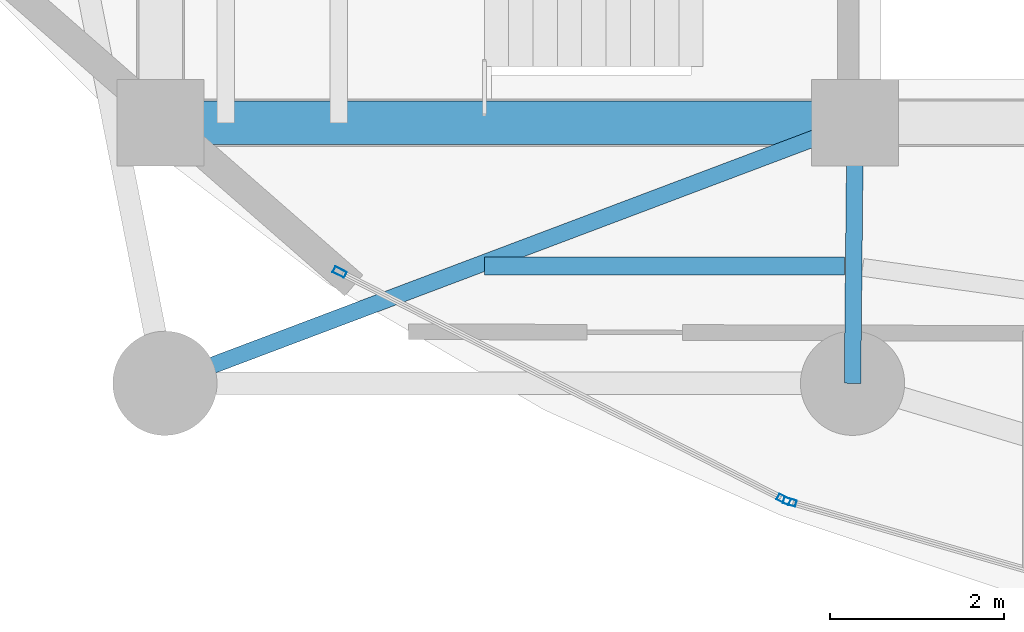
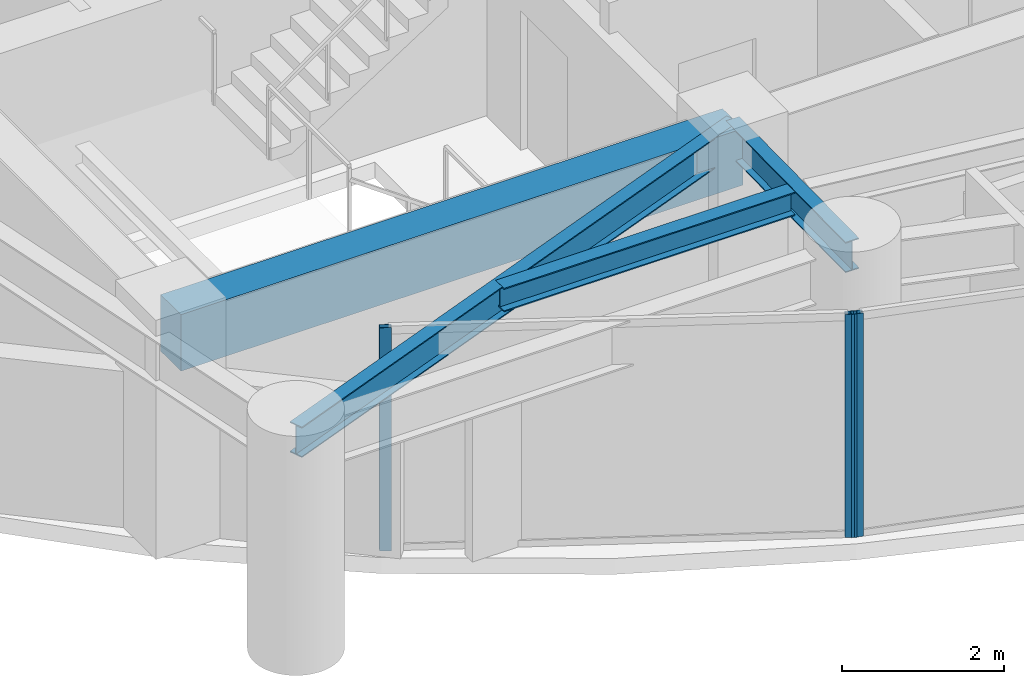
# One storey, part 2 of 28: 4 beams, 3 members, 2 elements without a shape of their own.
"""IFC4 building model written with IfcOpenShell, lengths in metres."""

import ifcopenshell
import ifcopenshell.guid

model = None  # the IFC model being written
_history = None  # IfcOwnerHistory: only IFC2X3 demands one
_inside = {}  # id of a spatial element -> (the spatial element, [elements in it])
_under = {}  # id of a project, library or spatial element -> (it, [spatial elements below it])
_declared = {}  # id of a project -> (the project, [libraries it declares])
_typed = {}  # id of a type object -> (the type object, [elements of that type])
_made_of = {}  # id of a material, layer set ... -> (it, [elements and type objects made of it])


def new_model(schema):
    """Start an empty IFC model of exactly this schema.

    Asked for "IFC4X3", IfcOpenShell would pick the latest addendum, in which some entities
    have other attributes; the version numbers below select the first issue.
    IFC2X3 requires an IfcOwnerHistory on every rooted entity: one is made here for all.
    """
    global model, _history
    if schema == "IFC4X3":
        model = ifcopenshell.file(schema_version=(4, 3, 0, 0))
    else:
        model = ifcopenshell.file(schema=schema)
    _inside.clear()
    _under.clear()
    _declared.clear()
    _typed.clear()
    _made_of.clear()
    _history = None
    if model.schema == "IFC2X3":
        org = make("IfcOrganization", Name="unknown")
        user = make(
            "IfcPersonAndOrganization",
            ThePerson=make("IfcPerson", FamilyName="unknown"),
            TheOrganization=org,
        )
        app = make(
            "IfcApplication",
            ApplicationDeveloper=org,
            Version="unknown",
            ApplicationFullName="unknown",
            ApplicationIdentifier="unknown",
        )
        _history = make(
            "IfcOwnerHistory",
            OwningUser=user,
            OwningApplication=app,
            ChangeAction="ADDED",
            CreationDate=0,
        )
    return model


def make(cls, **values):
    """One entity of the class cls with the attributes given. An attribute that is None is left unset."""
    return model.create_entity(
        cls, **{name: value for name, value in values.items() if value is not None}
    )


def rooted(cls, **values):
    """An entity with a GlobalId (a new one), such as an element, a storey or a relation."""
    return make(cls, GlobalId=ifcopenshell.guid.new(), OwnerHistory=_history, **values)


def si_unit(unit_type, name, prefix=None):
    """IfcSIUnit, for example si_unit("LENGTHUNIT", "METRE", prefix="MILLI")."""
    return make("IfcSIUnit", UnitType=unit_type, Prefix=prefix, Name=name)


def assignment(units):
    """IfcUnitAssignment: the units of a project."""
    return None if units is None else make("IfcUnitAssignment", Units=units)


def point(xyz):
    """IfcCartesianPoint."""
    return None if xyz is None else make("IfcCartesianPoint", Coordinates=xyz)


def direction(xyz):
    """IfcDirection."""
    return None if xyz is None else make("IfcDirection", DirectionRatios=xyz)


def frame(location, z_axis=None, x_axis=None):
    """IfcAxis2Placement3D, a coordinate frame: its origin and axes. An axis left out is left unset."""
    return make(
        "IfcAxis2Placement3D",
        Location=point(location),
        Axis=direction(z_axis),
        RefDirection=direction(x_axis),
    )


def frame_2d(location, x_axis=None):
    """IfcAxis2Placement2D, a coordinate frame in the plane: its origin and x axis."""
    return make(
        "IfcAxis2Placement2D", Location=point(location), RefDirection=direction(x_axis)
    )


def origin():
    """The frame at (0, 0, 0) with its axes left unset."""
    return frame((0.0, 0.0, 0.0))


def origin_2d():
    """The frame at (0, 0) in the plane with its x axis left unset."""
    return frame_2d((0.0, 0.0))


def place(relative_to, where):
    """IfcLocalPlacement: puts the frame where relative to a parent placement (None: the world)."""
    return make(
        "IfcLocalPlacement", PlacementRelTo=relative_to, RelativePlacement=where
    )


def context(
    kind, dimensions, precision=None, world=None, true_north=None, identifier=None
):
    """IfcGeometricRepresentationContext, for example the 3D "Model" context."""
    return make(
        "IfcGeometricRepresentationContext",
        ContextIdentifier=identifier,
        ContextType=kind,
        CoordinateSpaceDimension=dimensions,
        Precision=precision,
        WorldCoordinateSystem=world,
        TrueNorth=true_north,
    )


def subcontext(parent, identifier, kind, view, scale=None):
    """IfcGeometricRepresentationSubContext, for example "Body" below "Model"."""
    return make(
        "IfcGeometricRepresentationSubContext",
        ContextIdentifier=identifier,
        ContextType=kind,
        ParentContext=parent,
        TargetScale=scale,
        TargetView=view,
    )


def project(units=None, contexts=None):
    """IfcProject with its units and contexts."""
    return rooted(
        "IfcProject",
        Name="project",
        RepresentationContexts=contexts,
        UnitsInContext=assignment(units),
    )


def spatial(cls, under=None, at=None, **own):
    """A site, building, storey or space (cls), placed at a placement, below another one or the project."""
    s = rooted(cls, ObjectPlacement=at, **own)
    if under is not None:
        _under.setdefault(under.id(), (under, []))[1].append(s)
    return s


def profile(cls, at=None, kind="AREA", **sizes):
    """A parametric profile (cls). Its sizes go by their IFC names, for example OverallWidth=200.0."""
    return make(cls, ProfileType=kind, Position=at, **sizes)


def rectangle(**sizes):
    """IfcRectangleProfileDef."""
    return profile("IfcRectangleProfileDef", **sizes)


def hollow_rectangle(**sizes):
    """IfcRectangleHollowProfileDef."""
    return profile("IfcRectangleHollowProfileDef", **sizes)


def i_section(**sizes):
    """IfcIShapeProfileDef."""
    return profile("IfcIShapeProfileDef", **sizes)


def extrude(swept, where, along, depth):
    """IfcExtrudedAreaSolid: the profile swept, set in the frame where, extruded along a direction by depth."""
    return make(
        "IfcExtrudedAreaSolid",
        SweptArea=swept,
        Position=where,
        ExtrudedDirection=direction(along),
        Depth=depth,
    )


def shape(context_of_items, identifier, shape_type, items):
    """IfcShapeRepresentation: the items that make up one representation, for example the "Body"."""
    return make(
        "IfcShapeRepresentation",
        ContextOfItems=context_of_items,
        RepresentationIdentifier=identifier,
        RepresentationType=shape_type,
        Items=items,
    )


def material(Name=None, Category=None):
    """IfcMaterial."""
    return make("IfcMaterial", Name=Name, Category=Category)


def layer(
    of_material, thickness, ventilated=None, Name=None, Category=None, Priority=None
):
    """IfcMaterialLayer: one layer of a wall or slab, of a material (None: an air gap)."""
    return make(
        "IfcMaterialLayer",
        Material=of_material,
        LayerThickness=thickness,
        IsVentilated=ventilated,
        Name=Name,
        Category=Category,
        Priority=Priority,
    )


def layer_set(layers, Name=None):
    """IfcMaterialLayerSet."""
    return make("IfcMaterialLayerSet", MaterialLayers=layers, LayerSetName=Name)


def material_profile(
    of_material, cross_section, Name=None, Category=None, Priority=None
):
    """IfcMaterialProfile: a cross section and its material."""
    return make(
        "IfcMaterialProfile",
        Name=Name,
        Material=of_material,
        Profile=cross_section,
        Priority=Priority,
        Category=Category,
    )


def profile_set(profiles, Name=None, composite=None):
    """IfcMaterialProfileSet."""
    return make(
        "IfcMaterialProfileSet",
        Name=Name,
        MaterialProfiles=profiles,
        CompositeProfile=composite,
    )


def made_of(thing, what):
    """Note that an element or type object is made of a material, layer set ...; save() writes the relation."""
    if what is not None:
        _made_of.setdefault(what.id(), (what, []))[1].append(thing)
    return thing


def type_object(cls, material=None, **own):
    """A type object (cls), such as IfcWallType, which elements share."""
    return made_of(rooted(cls, **own), material)


def element(
    cls,
    number,
    at=None,
    inside=None,
    cuts=None,
    type_object=None,
    material=None,
    context=None,
    identifier="Body",
    shape_type=None,
    held_by="IfcProductDefinitionShape",
    body=None,
    shapes=None,
    **own,
):
    """One element of the class cls, such as IfcWall. Its Tag is "e" and its number.

    at: its placement. inside: the storey or other place that contains it. cuts: it is an
    opening in that element (IfcRelVoidsElement). A single representation is given by context,
    identifier, shape_type and body (its items); several are given by shapes. held_by: the class
    of the entity that holds the representations. save() writes the other relations.
    """
    e = rooted(cls, Tag="e%d" % number, ObjectPlacement=at, **own)
    if body is not None:
        shapes = [shape(context, identifier, shape_type, body)]
    if shapes is not None:
        e.Representation = make(held_by, Representations=shapes)
    if inside is not None:
        _inside.setdefault(inside.id(), (inside, []))[1].append(e)
    if cuts is not None:
        rooted(
            "IfcRelVoidsElement", RelatingBuildingElement=cuts, RelatedOpeningElement=e
        )
    if type_object is not None:
        _typed.setdefault(type_object.id(), (type_object, []))[1].append(e)
    return made_of(e, material)


def aggregate(whole, parts):
    """IfcRelAggregates: a whole, such as a stair, and the parts it consists of."""
    return rooted("IfcRelAggregates", RelatingObject=whole, RelatedObjects=parts)


def save(model, path):
    """Write the relations noted so far, then the file.

    IfcRelAggregates (storeys below a building ...), IfcRelContainedInSpatialStructure (elements
    in a storey), IfcRelDefinesByType, IfcRelAssociatesMaterial and IfcRelDeclares: one each for
    every whole, place, type object, material and project.
    """
    for whole, parts in _under.values():
        aggregate(whole, parts)
    for where, things in _inside.values():
        rooted(
            "IfcRelContainedInSpatialStructure",
            RelatedElements=things,
            RelatingStructure=where,
        )
    for kind, things in _typed.values():
        rooted("IfcRelDefinesByType", RelatedObjects=things, RelatingType=kind)
    for what, things in _made_of.values():
        rooted("IfcRelAssociatesMaterial", RelatedObjects=things, RelatingMaterial=what)
    for by, libraries in _declared.values():
        rooted("IfcRelDeclares", RelatingContext=by, RelatedDefinitions=libraries)
    model.write(path)


model = new_model("IFC4")

# Units and contexts
model_context = context("Model", 3, precision=1e-05, world=origin(), true_north=direction((0.0, 1.0)))
body_context = subcontext(model_context, "Body", "Model", "MODEL_VIEW")
ifc_project = project(units=[si_unit("LENGTHUNIT", "METRE"), si_unit("AREAUNIT", "SQUARE_METRE"), si_unit("VOLUMEUNIT", "CUBIC_METRE"), si_unit("PLANEANGLEUNIT", "RADIAN"), si_unit("MASSUNIT", "GRAM", prefix="KILO")], contexts=[model_context])

# Site, building, storey
site_placement = place(None, origin())
site = spatial("IfcSite", under=ifc_project, at=site_placement, CompositionType="ELEMENT")
building_placement = place(site_placement, origin())
building = spatial("IfcBuilding", under=site, at=building_placement, Name="Kazevale Care Tower and Concert Hall", CompositionType="ELEMENT")
storey_placement = place(building_placement, frame((0.0, 0.0, 106.199951171875)))
storey = spatial("IfcBuildingStorey", under=building, at=storey_placement, Name="L27", CompositionType="ELEMENT", Elevation=106.199951171875)

# Curtain wall, member
ifc_material_1 = material(Name="Aluminium 6063-T6 and Low-E Glass", Category="aluminium")
ifc_layer = layer(ifc_material_1, 0.179931640625)
ifc_layer_set = layer_set([ifc_layer], Name="Aluminium 6063-T6 and Low-E Glass")
curtain_wall_type = type_object("IfcCurtainWallType", Name="Sheltered Concave Balcony Curtain Wall CW-5", PredefinedType="NOTDEFINED", material=ifc_layer_set)
curtain_wall_1_placement = place(storey_placement, origin())
curtain_wall_1 = element("IfcCurtainWall", 1, at=curtain_wall_1_placement, inside=storey, type_object=curtain_wall_type, Name="cw:L27:f08", PredefinedType="NOTDEFINED")
ifc_material_2 = material(Name="Aluminium 6063-T6", Category="aluminium")
ifc_material_profile_1 = material_profile(ifc_material_2, hollow_rectangle(XDim=0.074951171875, YDim=0.14990234375, WallThickness=0.00390625, at=origin_2d()), Name="ALU75x150x4")
ifc_profile_set_1 = profile_set([ifc_material_profile_1], Name="Aluminium 6063-T6")
member_type = type_object("IfcMemberType", Name="CW-5 Mullion ALU75x150x4", PredefinedType="MULLION", material=ifc_profile_set_1)
member_1_placement = place(storey_placement, frame((29.2470703125, 19.234619140625, 0.0), z_axis=(0.0, 0.0, 1.0), x_axis=(-0.276290733172, -0.961074102639, 0.0)))
member_1 = element("IfcMember", 2, at=member_1_placement, type_object=member_type, Name="CW-5 mullion 2", PredefinedType="MULLION", context=body_context, shape_type="SweptSolid", body=[
    extrude(hollow_rectangle(XDim=0.074951171875, YDim=0.14990234375, WallThickness=0.00390625, at=origin_2d()), origin(), (0.0, 0.0, 1.0), 3.360107421875),
])
aggregate(curtain_wall_1, [member_1])

# Curtain wall, members
curtain_wall_2_placement = place(storey_placement, origin())
curtain_wall_2 = element("IfcCurtainWall", 3, at=curtain_wall_2_placement, inside=storey, type_object=curtain_wall_type, Name="cw:L27:f09", PredefinedType="NOTDEFINED")
member_2_placement = place(storey_placement, frame((29.177734375, 19.26220703125, 0.0), z_axis=(0.0, 0.0, 1.0), x_axis=(-0.455713236575, -0.890126646051, 0.0)))
member_2 = element("IfcMember", 4, at=member_2_placement, type_object=member_type, Name="CW-5 mullion 1", PredefinedType="MULLION", context=body_context, shape_type="SweptSolid", body=[
    extrude(hollow_rectangle(XDim=0.074951171875, YDim=0.14990234375, WallThickness=0.00390625, at=origin_2d()), origin(), (0.0, 0.0, 1.0), 3.360107421875),
])
member_3_placement = place(storey_placement, frame((24.0625, 21.880859375, 0.0), z_axis=(0.0, 0.0, 1.0), x_axis=(-0.455713236575, -0.890126646051, 0.0)))
member_3 = element("IfcMember", 5, at=member_3_placement, type_object=member_type, Name="CW-5 mullion 2", PredefinedType="MULLION", context=body_context, shape_type="SweptSolid", body=[
    extrude(hollow_rectangle(XDim=0.074951171875, YDim=0.14990234375, WallThickness=0.00390625, at=origin_2d()), origin(), (0.0, 0.0, 1.0), 3.360107421875),
])
aggregate(curtain_wall_2, [member_2, member_3])

# Beams
ifc_material_3 = material(Name="Concrete C60", Category="concrete")
ifc_material_profile_2 = material_profile(ifc_material_3, rectangle(XDim=0.5, YDim=0.85009765625, at=origin_2d()), Name="RC-B500x850")
ifc_profile_set_2 = profile_set([ifc_material_profile_2], Name="Concrete C60")
beam_type_1 = type_object("IfcBeamType", Name="Core Coupling Beam RC500x850", PredefinedType="LINTEL", material=ifc_profile_set_2)
beam_1_placement = place(storey_placement, frame((22.0, 23.60009765625, 2.93505859375), z_axis=(1.0, 0.0, 0.0), x_axis=(0.0, 1.0, 0.0)))
element("IfcBeam", 6, at=beam_1_placement, inside=storey, type_object=beam_type_1, Name="beam:L27:coretie:1", PredefinedType="LINTEL", context=body_context, shape_type="SweptSolid", body=[
    extrude(rectangle(XDim=0.5, YDim=0.85009765625, at=origin_2d()), origin(), (0.0, 0.0, 1.0), 8.0),
])
ifc_material_4 = material(Name="Steel ASTM A572 Gr 50", Category="steel")
ifc_material_profile_3 = material_profile(ifc_material_4, i_section(OverallWidth=0.19091796875, OverallDepth=0.4599609375, WebThickness=0.010009765625, FlangeThickness=0.01611328125, at=origin_2d()), Name="W460x82")
ifc_profile_set_3 = profile_set([ifc_material_profile_3], Name="Steel ASTM A572 Gr 50")
beam_type_2 = type_object("IfcBeamType", Name="Radial Floor Beam W460x82", PredefinedType="BEAM", material=ifc_profile_set_3)
beam_2_placement = place(storey_placement, frame((30.0, 23.60009765625, 3.130126953125), z_axis=(-0.935601002663, -0.353059150592, 0.0), x_axis=(0.353059150592, -0.935601002663, 0.0)))
element("IfcBeam", 7, at=beam_2_placement, inside=storey, type_object=beam_type_2, Name="beam:L27:rad:10", PredefinedType="BEAM", context=body_context, shape_type="SweptSolid", body=[
    extrude(i_section(OverallWidth=0.19091796875, OverallDepth=0.4599609375, WebThickness=0.010009765625, FlangeThickness=0.01611328125, at=origin_2d()), origin(), (0.0, 0.0, 1.0), 8.4970703125),
])
beam_3_placement = place(storey_placement, frame((30.0, 23.60009765625, 3.130126953125), z_axis=(-0.010009264196, -0.99994990606, 0.0), x_axis=(0.99994990606, -0.010009264196, 0.0)))
element("IfcBeam", 8, at=beam_3_placement, inside=storey, type_object=beam_type_2, Name="beam:L27:rad:11", PredefinedType="BEAM", context=body_context, shape_type="SweptSolid", body=[
    extrude(i_section(OverallWidth=0.19091796875, OverallDepth=0.4599609375, WebThickness=0.010009765625, FlangeThickness=0.01611328125, at=origin_2d()), origin(), (0.0, 0.0, 1.0), 3.000244140625),
])
ifc_material_profile_4 = material_profile(ifc_material_4, i_section(OverallWidth=0.205078125, OverallDepth=0.35400390625, WebThickness=0.009521484375, FlangeThickness=0.016845703125, at=origin_2d()), Name="W360x79")
ifc_profile_set_4 = profile_set([ifc_material_profile_4], Name="Steel ASTM A572 Gr 50")
beam_type_3 = type_object("IfcBeamType", Name="Secondary Floor Joist W360x79", PredefinedType="JOIST", material=ifc_profile_set_4)
beam_4_placement = place(storey_placement, frame((25.73291015625, 21.949951171875, 3.18310546875), z_axis=(1.0, 0.0, 0.0), x_axis=(0.0, 1.0, 0.0)))
element("IfcBeam", 9, at=beam_4_placement, inside=storey, type_object=beam_type_3, Name="beam:L27:joist:10", PredefinedType="JOIST", context=body_context, shape_type="SweptSolid", body=[
    extrude(i_section(OverallWidth=0.205078125, OverallDepth=0.35400390625, WebThickness=0.009521484375, FlangeThickness=0.016845703125, at=origin_2d()), origin(), (0.0, 0.0, 1.0), 4.14501953125),
])

save(model, "model.ifc")
